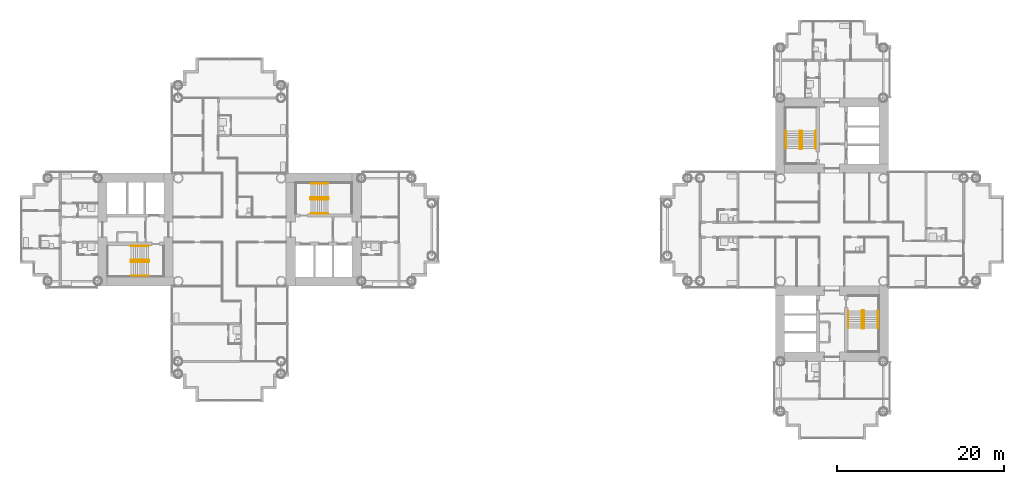
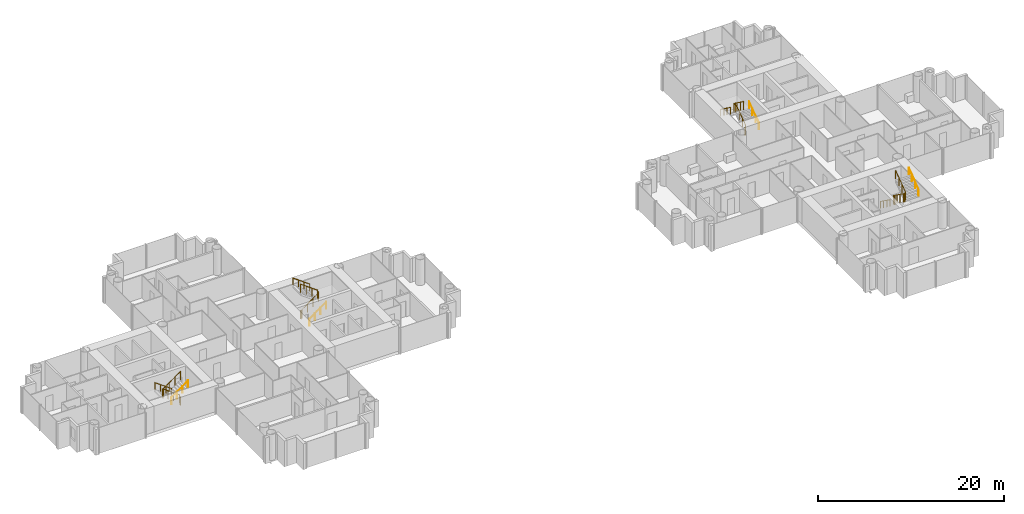
# One storey, part 20 of 21: 12 railings.
"""IFC4 building model written with IfcOpenShell, lengths in metres."""

from ifc_helpers import new_model, si_unit, direction, frame, origin, origin_2d, place, context, subcontext, project, spatial, circle, extrude, material, type_object, element, save


model = new_model("IFC4")

# Units and contexts
model_context = context("Model", 3, precision=1e-05, world=origin(), true_north=direction((0.0, 1.0)))
body_context = subcontext(model_context, "Body", "Model", "MODEL_VIEW")
ifc_project = project(units=[si_unit("LENGTHUNIT", "METRE"), si_unit("AREAUNIT", "SQUARE_METRE"), si_unit("VOLUMEUNIT", "CUBIC_METRE"), si_unit("PLANEANGLEUNIT", "RADIAN"), si_unit("MASSUNIT", "GRAM", prefix="KILO")], contexts=[model_context])

# Site, building, storey
site_placement = place(None, origin())
site = spatial("IfcSite", under=ifc_project, at=site_placement, CompositionType="ELEMENT")
building_placement = place(site_placement, origin())
building = spatial("IfcBuilding", under=site, at=building_placement, Name="Ipe Terrace Towers", CompositionType="ELEMENT")
storey_placement = place(building_placement, frame((0.0, 0.0, 34.699951171875)))
storey = spatial("IfcBuildingStorey", under=building, at=storey_placement, Name="L08", CompositionType="ELEMENT", Elevation=34.699951171875)

# Railings
ifc_material_1 = material(Name="Steel S355", Category="steel")
railing_type_1 = type_object("IfcRailingType", Name="Stair guard 1100", PredefinedType="GUARDRAIL", material=ifc_material_1)
railing_1_placement = place(storey_placement, frame((-26.35009765625, 3.800048828125, 0.0)))
element("IfcRailing", 1, at=railing_1_placement, inside=storey, type_object=railing_type_1, Name="L08 T1-ST1 stair guard 1", PredefinedType="GUARDRAIL", context=body_context, shape_type="SweptSolid", body=[
    extrude(circle(Radius=0.02392578125, at=origin_2d()), frame((0.0, 0.0, 1.076171875), z_axis=(0.0, -1.0, 0.0), x_axis=(1.0, 0.0, 0.0)), (0.0, 0.0, 1.0), 0.150146484375),
    extrude(circle(Radius=0.02392578125, at=origin_2d()), frame((0.0, -0.150146484375, 1.076171875), z_axis=(0.248103849378, -0.246893586699, 0.936743314239), x_axis=(0.705375805398, 0.708833529934, 0.0)), (0.0, 0.0, 1.0), 0.20166015625),
    extrude(circle(Radius=0.02392578125, at=origin_2d()), frame((0.050048828125, -0.199951171875, 1.26513671875), z_axis=(0.809068575486, 0.0, 0.587714250432), x_axis=(0.0, 1.0, 0.0)), (0.0, 0.0, 1.0), 2.571044921875),
    extrude(circle(Radius=0.02392578125, at=origin_2d()), frame((2.130126953125, -0.199951171875, 2.77587890625), z_axis=(0.708833529934, 0.705375805398, 0.0), x_axis=(-0.705375805398, 0.708833529934, 0.0)), (0.0, 0.0, 1.0), 0.070556640625),
    extrude(circle(Radius=0.02392578125, at=origin_2d()), frame((2.18017578125, -0.150146484375, 2.77587890625), z_axis=(0.0, 1.0, 0.0), x_axis=(-1.0, 0.0, 0.0)), (0.0, 0.0, 1.0), 0.150146484375),
    extrude(circle(Radius=0.02392578125, at=origin_2d()), frame((2.18017578125, 0.0, 2.77587890625), z_axis=(-0.248029566107, 0.248029566107, 0.936462849596), x_axis=(-0.707106781187, -0.707106781187, 0.0)), (0.0, 0.0, 1.0), 0.201904296875),
    extrude(circle(Radius=0.02392578125, at=origin_2d()), frame((2.130126953125, 0.050048828125, 2.96484375), z_axis=(-0.809023421508, 0.0, 0.587776406001), x_axis=(0.0, -1.0, 0.0)), (0.0, 0.0, 1.0), 2.571044921875),
    extrude(circle(Radius=0.02099609375, at=origin_2d()), origin(), (0.0, 0.0, 1.0), 1.052001953125),
    extrude(circle(Radius=0.02099609375, at=origin_2d()), frame((0.0, -0.150146484375, 0.0)), (0.0, 0.0, 1.0), 1.052001953125),
    extrude(circle(Radius=0.02099609375, at=origin_2d()), frame((0.050048828125, -0.199951171875, 0.18896484375)), (0.0, 0.0, 1.0), 1.052001953125),
    extrude(circle(Radius=0.02099609375, at=origin_2d()), frame((0.743408203125, -0.199951171875, 0.692626953125)), (0.0, 0.0, 1.0), 1.052001953125),
    extrude(circle(Radius=0.02099609375, at=origin_2d()), frame((1.436767578125, -0.199951171875, 1.1962890625)), (0.0, 0.0, 1.0), 1.052001953125),
    extrude(circle(Radius=0.02099609375, at=origin_2d()), frame((2.130126953125, -0.199951171875, 1.699951171875)), (0.0, 0.0, 1.0), 1.052001953125),
    extrude(circle(Radius=0.02099609375, at=origin_2d()), frame((2.18017578125, -0.150146484375, 1.699951171875)), (0.0, 0.0, 1.0), 1.052001953125),
    extrude(circle(Radius=0.02099609375, at=origin_2d()), frame((2.18017578125, 0.0, 1.699951171875)), (0.0, 0.0, 1.0), 1.052001953125),
    extrude(circle(Radius=0.02099609375, at=origin_2d()), frame((2.130126953125, 0.050048828125, 1.888916015625)), (0.0, 0.0, 1.0), 1.052001953125),
    extrude(circle(Radius=0.02099609375, at=origin_2d()), frame((1.436767578125, 0.050048828125, 2.392578125)), (0.0, 0.0, 1.0), 1.052001953125),
    extrude(circle(Radius=0.02099609375, at=origin_2d()), frame((0.743408203125, 0.050048828125, 2.896484375)), (0.0, 0.0, 1.0), 1.052001953125),
    extrude(circle(Radius=0.02099609375, at=origin_2d()), frame((0.050048828125, 0.050048828125, 3.400146484375)), (0.0, 0.0, 1.0), 1.052001953125),
])
railing_2_placement = place(storey_placement, frame((-45.64990234375, -3.800048828125, 0.0)))
element("IfcRailing", 2, at=railing_2_placement, inside=storey, type_object=railing_type_1, Name="L08 T1-ST2 stair guard 1", PredefinedType="GUARDRAIL", context=body_context, shape_type="SweptSolid", body=[
    extrude(circle(Radius=0.02392578125, at=origin_2d()), frame((0.0, 0.0, 1.076171875), z_axis=(0.0, 1.0, 0.0), x_axis=(-1.0, 0.0, 0.0)), (0.0, 0.0, 1.0), 0.150146484375),
    extrude(circle(Radius=0.02392578125, at=origin_2d()), frame((0.0, 0.150146484375, 1.076171875), z_axis=(-0.248103849378, 0.246893586699, 0.936743314239), x_axis=(-0.705375805398, -0.708833529934, 0.0)), (0.0, 0.0, 1.0), 0.20166015625),
    extrude(circle(Radius=0.02392578125, at=origin_2d()), frame((-0.050048828125, 0.199951171875, 1.26513671875), z_axis=(-0.809068575486, 0.0, 0.587714250432), x_axis=(0.0, -1.0, 0.0)), (0.0, 0.0, 1.0), 2.571044921875),
    extrude(circle(Radius=0.02392578125, at=origin_2d()), frame((-2.130126953125, 0.199951171875, 2.77587890625), z_axis=(-0.708833529934, -0.705375805398, 0.0), x_axis=(0.705375805398, -0.708833529934, 0.0)), (0.0, 0.0, 1.0), 0.070556640625),
    extrude(circle(Radius=0.02392578125, at=origin_2d()), frame((-2.18017578125, 0.150146484375, 2.77587890625), z_axis=(0.0, -1.0, 0.0), x_axis=(1.0, 0.0, 0.0)), (0.0, 0.0, 1.0), 0.150146484375),
    extrude(circle(Radius=0.02392578125, at=origin_2d()), frame((-2.18017578125, 0.0, 2.77587890625), z_axis=(0.248029566107, -0.248029566107, 0.936462849596), x_axis=(0.707106781187, 0.707106781187, 0.0)), (0.0, 0.0, 1.0), 0.201904296875),
    extrude(circle(Radius=0.02392578125, at=origin_2d()), frame((-2.130126953125, -0.050048828125, 2.96484375), z_axis=(0.809023421508, 0.0, 0.587776406001), x_axis=(0.0, 1.0, 0.0)), (0.0, 0.0, 1.0), 2.571044921875),
    extrude(circle(Radius=0.02099609375, at=origin_2d()), origin(), (0.0, 0.0, 1.0), 1.052001953125),
    extrude(circle(Radius=0.02099609375, at=origin_2d()), frame((0.0, 0.150146484375, 0.0)), (0.0, 0.0, 1.0), 1.052001953125),
    extrude(circle(Radius=0.02099609375, at=origin_2d()), frame((-0.050048828125, 0.199951171875, 0.18896484375)), (0.0, 0.0, 1.0), 1.052001953125),
    extrude(circle(Radius=0.02099609375, at=origin_2d()), frame((-0.743408203125, 0.199951171875, 0.692626953125)), (0.0, 0.0, 1.0), 1.052001953125),
    extrude(circle(Radius=0.02099609375, at=origin_2d()), frame((-1.436767578125, 0.199951171875, 1.1962890625)), (0.0, 0.0, 1.0), 1.052001953125),
    extrude(circle(Radius=0.02099609375, at=origin_2d()), frame((-2.130126953125, 0.199951171875, 1.699951171875)), (0.0, 0.0, 1.0), 1.052001953125),
    extrude(circle(Radius=0.02099609375, at=origin_2d()), frame((-2.18017578125, 0.150146484375, 1.699951171875)), (0.0, 0.0, 1.0), 1.052001953125),
    extrude(circle(Radius=0.02099609375, at=origin_2d()), frame((-2.18017578125, 0.0, 1.699951171875)), (0.0, 0.0, 1.0), 1.052001953125),
    extrude(circle(Radius=0.02099609375, at=origin_2d()), frame((-2.130126953125, -0.050048828125, 1.888916015625)), (0.0, 0.0, 1.0), 1.052001953125),
    extrude(circle(Radius=0.02099609375, at=origin_2d()), frame((-1.436767578125, -0.050048828125, 2.392578125)), (0.0, 0.0, 1.0), 1.052001953125),
    extrude(circle(Radius=0.02099609375, at=origin_2d()), frame((-0.743408203125, -0.050048828125, 2.896484375)), (0.0, 0.0, 1.0), 1.052001953125),
    extrude(circle(Radius=0.02099609375, at=origin_2d()), frame((-0.050048828125, -0.050048828125, 3.400146484375)), (0.0, 0.0, 1.0), 1.052001953125),
])
railing_3_placement = place(storey_placement, frame((32.199951171875, 9.64990234375, 0.0)))
element("IfcRailing", 3, at=railing_3_placement, inside=storey, type_object=railing_type_1, Name="L08 T2-ST1 stair guard 1", PredefinedType="GUARDRAIL", context=body_context, shape_type="SweptSolid", body=[
    extrude(circle(Radius=0.02392578125, at=origin_2d()), frame((0.0, 0.0, 1.076171875), z_axis=(1.0, 0.0, 0.0), x_axis=(0.0, 1.0, 0.0)), (0.0, 0.0, 1.0), 0.150146484375),
    extrude(circle(Radius=0.02392578125, at=origin_2d()), frame((0.150146484375, 0.0, 1.076171875), z_axis=(0.246893586699, 0.248103849378, 0.936743314239), x_axis=(-0.708833529934, 0.705375805398, 0.0)), (0.0, 0.0, 1.0), 0.20166015625),
    extrude(circle(Radius=0.02392578125, at=origin_2d()), frame((0.199951171875, 0.050048828125, 1.26513671875), z_axis=(0.0, 0.809068575486, 0.587714250432), x_axis=(-1.0, 0.0, 0.0)), (0.0, 0.0, 1.0), 2.571044921875),
    extrude(circle(Radius=0.02392578125, at=origin_2d()), frame((0.199951171875, 2.130126953125, 2.77587890625), z_axis=(-0.705375805398, 0.708833529934, 0.0), x_axis=(-0.708833529934, -0.705375805398, 0.0)), (0.0, 0.0, 1.0), 0.070556640625),
    extrude(circle(Radius=0.02392578125, at=origin_2d()), frame((0.150146484375, 2.18017578125, 2.77587890625), z_axis=(-1.0, 0.0, 0.0), x_axis=(0.0, -1.0, 0.0)), (0.0, 0.0, 1.0), 0.150146484375),
    extrude(circle(Radius=0.02392578125, at=origin_2d()), frame((0.0, 2.18017578125, 2.77587890625), z_axis=(-0.248029566107, -0.248029566107, 0.936462849596), x_axis=(0.707106781187, -0.707106781187, 0.0)), (0.0, 0.0, 1.0), 0.201904296875),
    extrude(circle(Radius=0.02392578125, at=origin_2d()), frame((-0.050048828125, 2.130126953125, 2.96484375), z_axis=(0.0, -0.809023421508, 0.587776406001), x_axis=(1.0, 0.0, 0.0)), (0.0, 0.0, 1.0), 2.571044921875),
    extrude(circle(Radius=0.02099609375, at=origin_2d()), origin(), (0.0, 0.0, 1.0), 1.052001953125),
    extrude(circle(Radius=0.02099609375, at=origin_2d()), frame((0.150146484375, 0.0, 0.0)), (0.0, 0.0, 1.0), 1.052001953125),
    extrude(circle(Radius=0.02099609375, at=origin_2d()), frame((0.199951171875, 0.050048828125, 0.18896484375)), (0.0, 0.0, 1.0), 1.052001953125),
    extrude(circle(Radius=0.02099609375, at=origin_2d()), frame((0.199951171875, 0.743408203125, 0.692626953125)), (0.0, 0.0, 1.0), 1.052001953125),
    extrude(circle(Radius=0.02099609375, at=origin_2d()), frame((0.199951171875, 1.436767578125, 1.1962890625)), (0.0, 0.0, 1.0), 1.052001953125),
    extrude(circle(Radius=0.02099609375, at=origin_2d()), frame((0.199951171875, 2.130126953125, 1.699951171875)), (0.0, 0.0, 1.0), 1.052001953125),
    extrude(circle(Radius=0.02099609375, at=origin_2d()), frame((0.150146484375, 2.18017578125, 1.699951171875)), (0.0, 0.0, 1.0), 1.052001953125),
    extrude(circle(Radius=0.02099609375, at=origin_2d()), frame((0.0, 2.18017578125, 1.699951171875)), (0.0, 0.0, 1.0), 1.052001953125),
    extrude(circle(Radius=0.02099609375, at=origin_2d()), frame((-0.050048828125, 2.130126953125, 1.888916015625)), (0.0, 0.0, 1.0), 1.052001953125),
    extrude(circle(Radius=0.02099609375, at=origin_2d()), frame((-0.050048828125, 1.436767578125, 2.392578125)), (0.0, 0.0, 1.0), 1.052001953125),
    extrude(circle(Radius=0.02099609375, at=origin_2d()), frame((-0.050048828125, 0.743408203125, 2.896484375)), (0.0, 0.0, 1.0), 1.052001953125),
    extrude(circle(Radius=0.02099609375, at=origin_2d()), frame((-0.050048828125, 0.050048828125, 3.400146484375)), (0.0, 0.0, 1.0), 1.052001953125),
])
railing_4_placement = place(storey_placement, frame((39.800048828125, -9.64990234375, 0.0)))
element("IfcRailing", 4, at=railing_4_placement, inside=storey, type_object=railing_type_1, Name="L08 T2-ST2 stair guard 1", PredefinedType="GUARDRAIL", context=body_context, shape_type="SweptSolid", body=[
    extrude(circle(Radius=0.02392578125, at=origin_2d()), frame((0.0, 0.0, 1.076171875), z_axis=(-1.0, 0.0, 0.0), x_axis=(0.0, -1.0, 0.0)), (0.0, 0.0, 1.0), 0.150146484375),
    extrude(circle(Radius=0.02392578125, at=origin_2d()), frame((-0.150146484375, 0.0, 1.076171875), z_axis=(-0.246893586699, -0.248103849378, 0.936743314239), x_axis=(0.708833529934, -0.705375805398, 0.0)), (0.0, 0.0, 1.0), 0.20166015625),
    extrude(circle(Radius=0.02392578125, at=origin_2d()), frame((-0.199951171875, -0.050048828125, 1.26513671875), z_axis=(0.0, -0.809068575486, 0.587714250432), x_axis=(1.0, 0.0, 0.0)), (0.0, 0.0, 1.0), 2.571044921875),
    extrude(circle(Radius=0.02392578125, at=origin_2d()), frame((-0.199951171875, -2.130126953125, 2.77587890625), z_axis=(0.705375805398, -0.708833529934, 0.0), x_axis=(0.708833529934, 0.705375805398, 0.0)), (0.0, 0.0, 1.0), 0.070556640625),
    extrude(circle(Radius=0.02392578125, at=origin_2d()), frame((-0.150146484375, -2.18017578125, 2.77587890625), z_axis=(1.0, 0.0, 0.0), x_axis=(0.0, 1.0, 0.0)), (0.0, 0.0, 1.0), 0.150146484375),
    extrude(circle(Radius=0.02392578125, at=origin_2d()), frame((0.0, -2.18017578125, 2.77587890625), z_axis=(0.248029566107, 0.248029566107, 0.936462849596), x_axis=(-0.707106781187, 0.707106781187, 0.0)), (0.0, 0.0, 1.0), 0.201904296875),
    extrude(circle(Radius=0.02392578125, at=origin_2d()), frame((0.050048828125, -2.130126953125, 2.96484375), z_axis=(0.0, 0.809023421508, 0.587776406001), x_axis=(-1.0, 0.0, 0.0)), (0.0, 0.0, 1.0), 2.571044921875),
    extrude(circle(Radius=0.02099609375, at=origin_2d()), origin(), (0.0, 0.0, 1.0), 1.052001953125),
    extrude(circle(Radius=0.02099609375, at=origin_2d()), frame((-0.150146484375, 0.0, 0.0)), (0.0, 0.0, 1.0), 1.052001953125),
    extrude(circle(Radius=0.02099609375, at=origin_2d()), frame((-0.199951171875, -0.050048828125, 0.18896484375)), (0.0, 0.0, 1.0), 1.052001953125),
    extrude(circle(Radius=0.02099609375, at=origin_2d()), frame((-0.199951171875, -0.743408203125, 0.692626953125)), (0.0, 0.0, 1.0), 1.052001953125),
    extrude(circle(Radius=0.02099609375, at=origin_2d()), frame((-0.199951171875, -1.436767578125, 1.1962890625)), (0.0, 0.0, 1.0), 1.052001953125),
    extrude(circle(Radius=0.02099609375, at=origin_2d()), frame((-0.199951171875, -2.130126953125, 1.699951171875)), (0.0, 0.0, 1.0), 1.052001953125),
    extrude(circle(Radius=0.02099609375, at=origin_2d()), frame((-0.150146484375, -2.18017578125, 1.699951171875)), (0.0, 0.0, 1.0), 1.052001953125),
    extrude(circle(Radius=0.02099609375, at=origin_2d()), frame((0.0, -2.18017578125, 1.699951171875)), (0.0, 0.0, 1.0), 1.052001953125),
    extrude(circle(Radius=0.02099609375, at=origin_2d()), frame((0.050048828125, -2.130126953125, 1.888916015625)), (0.0, 0.0, 1.0), 1.052001953125),
    extrude(circle(Radius=0.02099609375, at=origin_2d()), frame((0.050048828125, -1.436767578125, 2.392578125)), (0.0, 0.0, 1.0), 1.052001953125),
    extrude(circle(Radius=0.02099609375, at=origin_2d()), frame((0.050048828125, -0.743408203125, 2.896484375)), (0.0, 0.0, 1.0), 1.052001953125),
    extrude(circle(Radius=0.02099609375, at=origin_2d()), frame((0.050048828125, -0.050048828125, 3.400146484375)), (0.0, 0.0, 1.0), 1.052001953125),
])
ifc_material_2 = material(Name="Stainless steel grade 304", Category="steel")
railing_type_2 = type_object("IfcRailingType", Name="Stair handrail 900", PredefinedType="HANDRAIL", material=ifc_material_2)
railing_5_placement = place(storey_placement, frame((-26.300048828125, 1.949951171875, 0.18896484375)))
element("IfcRailing", 5, at=railing_5_placement, inside=storey, type_object=railing_type_2, Name="L08 T1-ST1 stair handrail 1", PredefinedType="HANDRAIL", context=body_context, shape_type="SweptSolid", body=[
    extrude(circle(Radius=0.02392578125, at=origin_2d()), frame((0.0, 0.0, 0.8759765625), z_axis=(0.809068575486, 0.0, 0.587714250432), x_axis=(0.0, 1.0, 0.0)), (0.0, 0.0, 1.0), 2.571044921875),
    extrude(circle(Radius=0.02099609375, at=origin_2d()), origin(), (0.0, 0.0, 1.0), 0.851806640625),
    extrude(circle(Radius=0.02099609375, at=origin_2d()), frame((0.693359375, 0.0, 0.503662109375)), (0.0, 0.0, 1.0), 0.851806640625),
    extrude(circle(Radius=0.02099609375, at=origin_2d()), frame((1.38671875, 0.0, 1.00732421875)), (0.0, 0.0, 1.0), 0.851806640625),
    extrude(circle(Radius=0.02099609375, at=origin_2d()), frame((2.080078125, 0.0, 1.510986328125)), (0.0, 0.0, 1.0), 0.851806640625),
])
railing_6_placement = place(storey_placement, frame((-24.219970703125, 5.5, 1.888916015625)))
element("IfcRailing", 6, at=railing_6_placement, inside=storey, type_object=railing_type_2, Name="L08 T1-ST1 stair handrail 2", PredefinedType="HANDRAIL", context=body_context, shape_type="SweptSolid", body=[
    extrude(circle(Radius=0.02392578125, at=origin_2d()), frame((0.0, 0.0, 0.8759765625), z_axis=(-0.809023421508, 0.0, 0.587776406001), x_axis=(0.0, -1.0, 0.0)), (0.0, 0.0, 1.0), 2.571044921875),
    extrude(circle(Radius=0.02099609375, at=origin_2d()), origin(), (0.0, 0.0, 1.0), 0.851806640625),
    extrude(circle(Radius=0.02099609375, at=origin_2d()), frame((-0.693359375, 0.0, 0.503662109375)), (0.0, 0.0, 1.0), 0.851806640625),
    extrude(circle(Radius=0.02099609375, at=origin_2d()), frame((-1.38671875, 0.0, 1.007568359375)), (0.0, 0.0, 1.0), 0.851806640625),
    extrude(circle(Radius=0.02099609375, at=origin_2d()), frame((-2.080078125, 0.0, 1.51123046875)), (0.0, 0.0, 1.0), 0.851806640625),
])
railing_7_placement = place(storey_placement, frame((-45.699951171875, -1.949951171875, 0.18896484375)))
element("IfcRailing", 7, at=railing_7_placement, inside=storey, type_object=railing_type_2, Name="L08 T1-ST2 stair handrail 1", PredefinedType="HANDRAIL", context=body_context, shape_type="SweptSolid", body=[
    extrude(circle(Radius=0.02392578125, at=origin_2d()), frame((0.0, 0.0, 0.8759765625), z_axis=(-0.809068575486, 0.0, 0.587714250432), x_axis=(0.0, -1.0, 0.0)), (0.0, 0.0, 1.0), 2.571044921875),
    extrude(circle(Radius=0.02099609375, at=origin_2d()), origin(), (0.0, 0.0, 1.0), 0.851806640625),
    extrude(circle(Radius=0.02099609375, at=origin_2d()), frame((-0.693359375, 0.0, 0.503662109375)), (0.0, 0.0, 1.0), 0.851806640625),
    extrude(circle(Radius=0.02099609375, at=origin_2d()), frame((-1.38671875, 0.0, 1.00732421875)), (0.0, 0.0, 1.0), 0.851806640625),
    extrude(circle(Radius=0.02099609375, at=origin_2d()), frame((-2.080078125, 0.0, 1.510986328125)), (0.0, 0.0, 1.0), 0.851806640625),
])
railing_8_placement = place(storey_placement, frame((-47.780029296875, -5.5, 1.888916015625)))
element("IfcRailing", 8, at=railing_8_placement, inside=storey, type_object=railing_type_2, Name="L08 T1-ST2 stair handrail 2", PredefinedType="HANDRAIL", context=body_context, shape_type="SweptSolid", body=[
    extrude(circle(Radius=0.02392578125, at=origin_2d()), frame((0.0, 0.0, 0.8759765625), z_axis=(0.809023421508, 0.0, 0.587776406001), x_axis=(0.0, 1.0, 0.0)), (0.0, 0.0, 1.0), 2.571044921875),
    extrude(circle(Radius=0.02099609375, at=origin_2d()), origin(), (0.0, 0.0, 1.0), 0.851806640625),
    extrude(circle(Radius=0.02099609375, at=origin_2d()), frame((0.693359375, 0.0, 0.503662109375)), (0.0, 0.0, 1.0), 0.851806640625),
    extrude(circle(Radius=0.02099609375, at=origin_2d()), frame((1.38671875, 0.0, 1.007568359375)), (0.0, 0.0, 1.0), 0.851806640625),
    extrude(circle(Radius=0.02099609375, at=origin_2d()), frame((2.080078125, 0.0, 1.51123046875)), (0.0, 0.0, 1.0), 0.851806640625),
])
railing_9_placement = place(storey_placement, frame((34.050048828125, 9.699951171875, 0.18896484375)))
element("IfcRailing", 9, at=railing_9_placement, inside=storey, type_object=railing_type_2, Name="L08 T2-ST1 stair handrail 1", PredefinedType="HANDRAIL", context=body_context, shape_type="SweptSolid", body=[
    extrude(circle(Radius=0.02392578125, at=origin_2d()), frame((0.0, 0.0, 0.8759765625), z_axis=(0.0, 0.809068575486, 0.587714250432), x_axis=(-1.0, 0.0, 0.0)), (0.0, 0.0, 1.0), 2.571044921875),
    extrude(circle(Radius=0.02099609375, at=origin_2d()), origin(), (0.0, 0.0, 1.0), 0.851806640625),
    extrude(circle(Radius=0.02099609375, at=origin_2d()), frame((0.0, 0.693359375, 0.503662109375)), (0.0, 0.0, 1.0), 0.851806640625),
    extrude(circle(Radius=0.02099609375, at=origin_2d()), frame((0.0, 1.38671875, 1.00732421875)), (0.0, 0.0, 1.0), 0.851806640625),
    extrude(circle(Radius=0.02099609375, at=origin_2d()), frame((0.0, 2.080078125, 1.510986328125)), (0.0, 0.0, 1.0), 0.851806640625),
])
railing_10_placement = place(storey_placement, frame((30.5, 11.780029296875, 1.888916015625)))
element("IfcRailing", 10, at=railing_10_placement, inside=storey, type_object=railing_type_2, Name="L08 T2-ST1 stair handrail 2", PredefinedType="HANDRAIL", context=body_context, shape_type="SweptSolid", body=[
    extrude(circle(Radius=0.02392578125, at=origin_2d()), frame((0.0, 0.0, 0.8759765625), z_axis=(0.0, -0.809023421508, 0.587776406001), x_axis=(1.0, 0.0, 0.0)), (0.0, 0.0, 1.0), 2.571044921875),
    extrude(circle(Radius=0.02099609375, at=origin_2d()), origin(), (0.0, 0.0, 1.0), 0.851806640625),
    extrude(circle(Radius=0.02099609375, at=origin_2d()), frame((0.0, -0.693359375, 0.503662109375)), (0.0, 0.0, 1.0), 0.851806640625),
    extrude(circle(Radius=0.02099609375, at=origin_2d()), frame((0.0, -1.38671875, 1.007568359375)), (0.0, 0.0, 1.0), 0.851806640625),
    extrude(circle(Radius=0.02099609375, at=origin_2d()), frame((0.0, -2.080078125, 1.51123046875)), (0.0, 0.0, 1.0), 0.851806640625),
])
railing_11_placement = place(storey_placement, frame((37.949951171875, -9.699951171875, 0.18896484375)))
element("IfcRailing", 11, at=railing_11_placement, inside=storey, type_object=railing_type_2, Name="L08 T2-ST2 stair handrail 1", PredefinedType="HANDRAIL", context=body_context, shape_type="SweptSolid", body=[
    extrude(circle(Radius=0.02392578125, at=origin_2d()), frame((0.0, 0.0, 0.8759765625), z_axis=(0.0, -0.809068575486, 0.587714250432), x_axis=(1.0, 0.0, 0.0)), (0.0, 0.0, 1.0), 2.571044921875),
    extrude(circle(Radius=0.02099609375, at=origin_2d()), origin(), (0.0, 0.0, 1.0), 0.851806640625),
    extrude(circle(Radius=0.02099609375, at=origin_2d()), frame((0.0, -0.693359375, 0.503662109375)), (0.0, 0.0, 1.0), 0.851806640625),
    extrude(circle(Radius=0.02099609375, at=origin_2d()), frame((0.0, -1.38671875, 1.00732421875)), (0.0, 0.0, 1.0), 0.851806640625),
    extrude(circle(Radius=0.02099609375, at=origin_2d()), frame((0.0, -2.080078125, 1.510986328125)), (0.0, 0.0, 1.0), 0.851806640625),
])
railing_12_placement = place(storey_placement, frame((41.5, -11.780029296875, 1.888916015625)))
element("IfcRailing", 12, at=railing_12_placement, inside=storey, type_object=railing_type_2, Name="L08 T2-ST2 stair handrail 2", PredefinedType="HANDRAIL", context=body_context, shape_type="SweptSolid", body=[
    extrude(circle(Radius=0.02392578125, at=origin_2d()), frame((0.0, 0.0, 0.8759765625), z_axis=(0.0, 0.809023421508, 0.587776406001), x_axis=(-1.0, 0.0, 0.0)), (0.0, 0.0, 1.0), 2.571044921875),
    extrude(circle(Radius=0.02099609375, at=origin_2d()), origin(), (0.0, 0.0, 1.0), 0.851806640625),
    extrude(circle(Radius=0.02099609375, at=origin_2d()), frame((0.0, 0.693359375, 0.503662109375)), (0.0, 0.0, 1.0), 0.851806640625),
    extrude(circle(Radius=0.02099609375, at=origin_2d()), frame((0.0, 1.38671875, 1.007568359375)), (0.0, 0.0, 1.0), 0.851806640625),
    extrude(circle(Radius=0.02099609375, at=origin_2d()), frame((0.0, 2.080078125, 1.51123046875)), (0.0, 0.0, 1.0), 0.851806640625),
])

save(model, "model.ifc")
